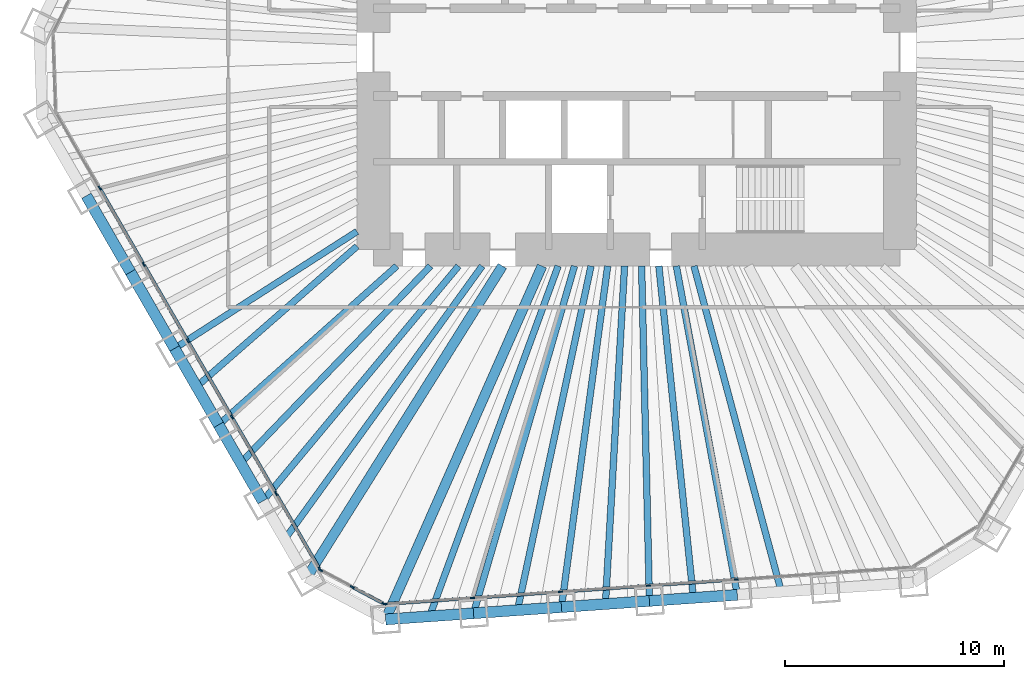
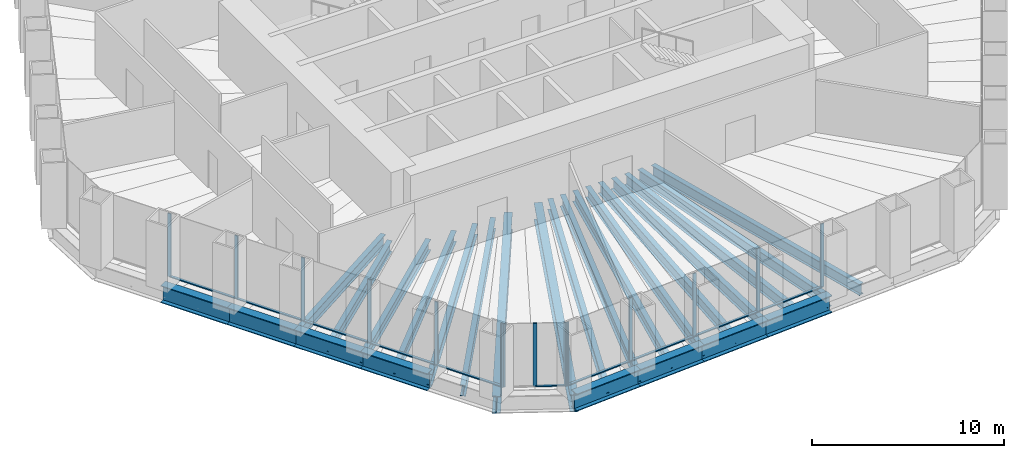
# One storey, part 2 of 13: 25 beams, 24 members, 3 elements without a shape of their own.
"""IFC4 building model written with IfcOpenShell, lengths in metres."""

from ifc_helpers import new_model, si_unit, direction, frame, origin, origin_2d, place, context, subcontext, project, spatial, rectangle, i_section, extrude, material, material_profile, profile_set, type_object, element, aggregate, save


model = new_model("IFC4")

# Units and contexts
model_context = context("Model", 3, precision=1e-05, world=origin(), true_north=direction((0.0, 1.0)))
body_context = subcontext(model_context, "Body", "Model", "MODEL_VIEW")
ifc_project = project(units=[si_unit("LENGTHUNIT", "METRE"), si_unit("AREAUNIT", "SQUARE_METRE"), si_unit("VOLUMEUNIT", "CUBIC_METRE"), si_unit("PLANEANGLEUNIT", "RADIAN"), si_unit("MASSUNIT", "GRAM", prefix="KILO")], contexts=[model_context])

# Site, building, storey
site_placement = place(None, origin())
site = spatial("IfcSite", under=ifc_project, at=site_placement, CompositionType="ELEMENT")
building_placement = place(site_placement, origin())
building = spatial("IfcBuilding", under=site, at=building_placement, Name="Qingtian Harvest Tower", CompositionType="ELEMENT")
storey_placement = place(building_placement, frame((0.0, 0.0, 132.39990234375)))
storey = spatial("IfcBuildingStorey", under=building, at=storey_placement, Name="L27", CompositionType="ELEMENT", Elevation=132.39990234375)

# Beams
ifc_material_1 = material(Name="Steel SM570MC", Category="steel")
ifc_material_profile_1 = material_profile(ifc_material_1, i_section(OverallWidth=0.449951171875, OverallDepth=1.10009765625, WebThickness=0.02197265625, FlangeThickness=0.044921875, at=origin_2d()), Name="H1100x450x22x45")
ifc_profile_set_1 = profile_set([ifc_material_profile_1], Name="Steel SM570MC")
beam_type_1 = type_object("IfcBeamType", Name="Corner floor beam FB8 H1100x450x22x45", PredefinedType="BEAM", material=ifc_profile_set_1)
beam_1_placement = place(storey_placement, frame((-11.445556640625, -25.861328125, -0.719970703125), z_axis=(0.404705702755, 0.914446988161, 0.0), x_axis=(-0.914446988161, 0.404705702755, 0.0)))
element("IfcBeam", 1, at=beam_1_placement, inside=storey, type_object=beam_type_1, Name="Floor beam FB8 S6", PredefinedType="BEAM", context=body_context, shape_type="SweptSolid", body=[
    extrude(i_section(OverallWidth=0.449951171875, OverallDepth=1.10009765625, WebThickness=0.02197265625, FlangeThickness=0.044921875, at=origin_2d()), origin(), (0.0, 0.0, 1.0), 17.61865234375),
])
beam_2_placement = place(storey_placement, frame((-15.039794921875, -23.950439453125, -0.719970703125), z_axis=(0.531797274443, 0.846871689747, 0.0), x_axis=(-0.846871689747, 0.531797274443, 0.0)))
element("IfcBeam", 2, at=beam_2_placement, inside=storey, type_object=beam_type_1, Name="Floor beam FB8 SW0", PredefinedType="BEAM", context=body_context, shape_type="SweptSolid", body=[
    extrude(i_section(OverallWidth=0.449951171875, OverallDepth=1.10009765625, WebThickness=0.02197265625, FlangeThickness=0.044921875, at=origin_2d()), origin(), (0.0, 0.0, 1.0), 16.76806640625),
])
ifc_material_2 = material(Name="Steel SN490B", Category="steel")
ifc_material_profile_2 = material_profile(ifc_material_2, i_section(OverallWidth=0.300048828125, OverallDepth=0.75, WebThickness=0.013916015625, FlangeThickness=0.02490234375, at=origin_2d()), Name="H750x300x14x25")
ifc_profile_set_2 = profile_set([ifc_material_profile_2], Name="Steel SN490B")
beam_type_2 = type_object("IfcBeamType", Name="Floor beam FB12 H750x300x14x25", PredefinedType="BEAM", material=ifc_profile_set_2)
beam_3_placement = place(storey_placement, frame((-7.436279296875, -25.5810546875, -0.544921875), z_axis=(0.279142362954, 0.960249728562, 0.0), x_axis=(-0.960249728562, 0.279142362954, 0.0)))
element("IfcBeam", 3, at=beam_3_placement, inside=storey, type_object=beam_type_2, Name="Floor beam FB12 S5", PredefinedType="BEAM", context=body_context, shape_type="SweptSolid", body=[
    extrude(i_section(OverallWidth=0.300048828125, OverallDepth=0.75, WebThickness=0.013916015625, FlangeThickness=0.02490234375, at=origin_2d()), origin(), (0.0, 0.0, 1.0), 16.486328125),
])
ifc_material_3 = material(Name="Steel SN490B", Category="steel")
ifc_material_profile_3 = material_profile(ifc_material_3, i_section(OverallWidth=0.300048828125, OverallDepth=0.699951171875, WebThickness=0.012939453125, FlangeThickness=0.02392578125, at=origin_2d()), Name="H700x300x13x24")
ifc_profile_set_3 = profile_set([ifc_material_profile_3], Name="Steel SN490B")
beam_type_3 = type_object("IfcBeamType", Name="Floor beam FB2 H700x300x13x24", PredefinedType="BEAM", material=ifc_profile_set_3)
beam_4_placement = place(storey_placement, frame((4.591552734375, -24.739990234375, -0.52001953125), z_axis=(-0.182473442032, 0.983210782565, 0.0), x_axis=(-0.983210782565, -0.182473442032, 0.0)))
element("IfcBeam", 4, at=beam_4_placement, inside=storey, type_object=beam_type_3, Name="Floor beam FB2 S2", PredefinedType="BEAM", context=body_context, shape_type="SweptSolid", body=[
    extrude(i_section(OverallWidth=0.300048828125, OverallDepth=0.699951171875, WebThickness=0.012939453125, FlangeThickness=0.02392578125, at=origin_2d()), origin(), (0.0, 0.0, 1.0), 15.245849609375),
])
beam_5_placement = place(storey_placement, frame((0.582275390625, -25.020263671875, -0.52001953125), z_axis=(-0.023272189962, 0.999729165912, 0.0), x_axis=(-0.999729165912, -0.023272189962, 0.0)))
element("IfcBeam", 5, at=beam_5_placement, inside=storey, type_object=beam_type_3, Name="Floor beam FB2 S3", PredefinedType="BEAM", context=body_context, shape_type="SweptSolid", body=[
    extrude(i_section(OverallWidth=0.300048828125, OverallDepth=0.699951171875, WebThickness=0.012939453125, FlangeThickness=0.02392578125, at=origin_2d()), origin(), (0.0, 0.0, 1.0), 15.2744140625),
])
beam_6_placement = place(storey_placement, frame((-3.427001953125, -25.30078125, -0.52001953125), z_axis=(0.134230066005, 0.990950195207, 0.0), x_axis=(-0.990950195207, 0.134230066005, 0.0)))
element("IfcBeam", 6, at=beam_6_placement, inside=storey, type_object=beam_type_3, Name="Floor beam FB2 S4", PredefinedType="BEAM", context=body_context, shape_type="SweptSolid", body=[
    extrude(i_section(OverallWidth=0.300048828125, OverallDepth=0.699951171875, WebThickness=0.012939453125, FlangeThickness=0.02392578125, at=origin_2d()), origin(), (0.0, 0.0, 1.0), 15.69287109375),
])
beam_7_placement = place(storey_placement, frame((-17.04931640625, -20.4697265625, -0.52001953125), z_axis=(0.639988150605, 0.768384778015, 0.0), x_axis=(-0.768384778015, 0.639988150605, 0.0)))
element("IfcBeam", 7, at=beam_7_placement, inside=storey, type_object=beam_type_3, Name="Floor beam FB2 SW1", PredefinedType="BEAM", context=body_context, shape_type="SweptSolid", body=[
    extrude(i_section(OverallWidth=0.300048828125, OverallDepth=0.699951171875, WebThickness=0.012939453125, FlangeThickness=0.02392578125, at=origin_2d()), origin(), (0.0, 0.0, 1.0), 13.950927734375),
])
beam_8_placement = place(storey_placement, frame((-19.058837890625, -16.989013671875, -0.52001953125), z_axis=(0.746483707908, 0.665403692376, 0.0), x_axis=(-0.665403692376, 0.746483707908, 0.0)))
element("IfcBeam", 8, at=beam_8_placement, inside=storey, type_object=beam_type_3, Name="Floor beam FB2 SW2", PredefinedType="BEAM", context=body_context, shape_type="SweptSolid", body=[
    extrude(i_section(OverallWidth=0.300048828125, OverallDepth=0.699951171875, WebThickness=0.012939453125, FlangeThickness=0.02392578125, at=origin_2d()), origin(), (0.0, 0.0, 1.0), 10.879150390625),
])
beam_9_placement = place(storey_placement, frame((-21.068359375, -13.508544921875, -0.52001953125), z_axis=(0.841823295753, 0.539753220211, 0.0), x_axis=(-0.539753220211, 0.841823295753, 0.0)))
element("IfcBeam", 9, at=beam_9_placement, inside=storey, type_object=beam_type_3, Name="Floor beam FB2 SW3", PredefinedType="BEAM", context=body_context, shape_type="SweptSolid", body=[
    extrude(i_section(OverallWidth=0.300048828125, OverallDepth=0.699951171875, WebThickness=0.012939453125, FlangeThickness=0.02392578125, at=origin_2d()), origin(), (0.0, 0.0, 1.0), 9.88134765625),
])
ifc_material_4 = material(Name="Steel SN490B", Category="steel")
ifc_material_profile_4 = material_profile(ifc_material_4, i_section(OverallWidth=0.300048828125, OverallDepth=0.699951171875, WebThickness=0.012939453125, FlangeThickness=0.02392578125, at=origin_2d()), Name="H700x300x13x24")
ifc_profile_set_4 = profile_set([ifc_material_profile_4], Name="Steel SN490B")
beam_type_4 = type_object("IfcBeamType", Name="Floor joist J2 H700x300x13x24", PredefinedType="JOIST", material=ifc_profile_set_4)
beam_10_placement = place(storey_placement, frame((6.59619140625, -24.599853515625, -0.52001953125), z_axis=(-0.258996688759, 0.965878209306, 0.0), x_axis=(-0.965878209306, -0.258996688759, 0.0)))
element("IfcBeam", 10, at=beam_10_placement, inside=storey, type_object=beam_type_4, Name="Floor joist J2 S1", PredefinedType="JOIST", context=body_context, shape_type="SweptSolid", body=[
    extrude(i_section(OverallWidth=0.300048828125, OverallDepth=0.699951171875, WebThickness=0.012939453125, FlangeThickness=0.02392578125, at=origin_2d()), origin(), (0.0, 0.0, 1.0), 15.37451171875),
])
beam_11_placement = place(storey_placement, frame((2.5869140625, -24.880126953125, -0.52001953125), z_axis=(-0.103423163361, 0.994637446148, 0.0), x_axis=(-0.994637446148, -0.103423163361, 0.0)))
element("IfcBeam", 11, at=beam_11_placement, inside=storey, type_object=beam_type_4, Name="Floor joist J2 S2", PredefinedType="JOIST", context=body_context, shape_type="SweptSolid", body=[
    extrude(i_section(OverallWidth=0.300048828125, OverallDepth=0.699951171875, WebThickness=0.012939453125, FlangeThickness=0.02392578125, at=origin_2d()), origin(), (0.0, 0.0, 1.0), 15.211669921875),
])
beam_12_placement = place(storey_placement, frame((-1.42236328125, -25.160400390625, -0.52001953125), z_axis=(0.05643626267, 0.998406204035, 0.0), x_axis=(-0.998406204035, 0.05643626267, 0.0)))
element("IfcBeam", 12, at=beam_12_placement, inside=storey, type_object=beam_type_4, Name="Floor joist J2 S3", PredefinedType="JOIST", context=body_context, shape_type="SweptSolid", body=[
    extrude(i_section(OverallWidth=0.300048828125, OverallDepth=0.699951171875, WebThickness=0.012939453125, FlangeThickness=0.02392578125, at=origin_2d()), origin(), (0.0, 0.0, 1.0), 15.43505859375),
])
beam_13_placement = place(storey_placement, frame((-5.431640625, -25.44091796875, -0.52001953125), z_axis=(0.208799533611, 0.977958462699, 0.0), x_axis=(-0.977958462699, 0.208799533611, 0.0)))
element("IfcBeam", 13, at=beam_13_placement, inside=storey, type_object=beam_type_4, Name="Floor joist J2 S4", PredefinedType="JOIST", context=body_context, shape_type="SweptSolid", body=[
    extrude(i_section(OverallWidth=0.300048828125, OverallDepth=0.699951171875, WebThickness=0.012939453125, FlangeThickness=0.02392578125, at=origin_2d()), origin(), (0.0, 0.0, 1.0), 16.044677734375),
])
beam_14_placement = place(storey_placement, frame((-9.44091796875, -25.72119140625, -0.52001953125), z_axis=(0.344563279886, 0.938763093732, 0.0), x_axis=(-0.938763093732, 0.344563279886, 0.0)))
element("IfcBeam", 14, at=beam_14_placement, inside=storey, type_object=beam_type_4, Name="Floor joist J2 S5", PredefinedType="JOIST", context=body_context, shape_type="SweptSolid", body=[
    extrude(i_section(OverallWidth=0.300048828125, OverallDepth=0.699951171875, WebThickness=0.012939453125, FlangeThickness=0.02392578125, at=origin_2d()), origin(), (0.0, 0.0, 1.0), 17.012939453125),
])
beam_15_placement = place(storey_placement, frame((-16.04443359375, -22.2099609375, -0.52001953125), z_axis=(0.585581016658, 0.810613886465, 0.0), x_axis=(-0.810613886465, 0.585581016658, 0.0)))
element("IfcBeam", 15, at=beam_15_placement, inside=storey, type_object=beam_type_4, Name="Floor joist J2 SW0", PredefinedType="JOIST", context=body_context, shape_type="SweptSolid", body=[
    extrude(i_section(OverallWidth=0.300048828125, OverallDepth=0.699951171875, WebThickness=0.012939453125, FlangeThickness=0.02392578125, at=origin_2d()), origin(), (0.0, 0.0, 1.0), 15.37109375),
])
beam_16_placement = place(storey_placement, frame((-18.053955078125, -18.7294921875, -0.52001953125), z_axis=(0.693999346894, 0.719975629108, 0.0), x_axis=(-0.719975629108, 0.693999346894, 0.0)))
element("IfcBeam", 16, at=beam_16_placement, inside=storey, type_object=beam_type_4, Name="Floor joist J2 SW1", PredefinedType="JOIST", context=body_context, shape_type="SweptSolid", body=[
    extrude(i_section(OverallWidth=0.300048828125, OverallDepth=0.699951171875, WebThickness=0.012939453125, FlangeThickness=0.02392578125, at=origin_2d()), origin(), (0.0, 0.0, 1.0), 12.471923828125),
])
beam_17_placement = place(storey_placement, frame((-20.063720703125, -15.248779296875, -0.52001953125), z_axis=(0.752618713562, 0.658456583228, 0.0), x_axis=(-0.658456583228, 0.752618713562, 0.0)))
element("IfcBeam", 17, at=beam_17_placement, inside=storey, type_object=beam_type_4, Name="Floor joist J2 SW2", PredefinedType="JOIST", context=body_context, shape_type="SweptSolid", body=[
    extrude(i_section(OverallWidth=0.300048828125, OverallDepth=0.699951171875, WebThickness=0.012939453125, FlangeThickness=0.02392578125, at=origin_2d()), origin(), (0.0, 0.0, 1.0), 9.7177734375),
])

# Curtain wall, members
ifc_material_5 = material(Name="Bronze-anodised aluminium curtain wall", Category="aluminium")
curtain_wall_type = type_object("IfcCurtainWallType", Name="Curtain wall CW4 office", PredefinedType="USERDEFINED", material=ifc_material_5)
curtain_wall_1_placement = place(storey_placement, origin())
curtain_wall_1 = element("IfcCurtainWall", 18, at=curtain_wall_1_placement, inside=storey, type_object=curtain_wall_type, Name="Curtain wall CW4 L27 S0-5", ObjectType="RECESSED CURTAIN WALL", PredefinedType="USERDEFINED")
ifc_material_6 = material(Name="Bronze-anodised aluminium mullion", Category="aluminium")
ifc_material_profile_5 = material_profile(ifc_material_6, rectangle(XDim=0.06494140625, YDim=0.199951171875, at=origin_2d()), Name="AL 65x200")
ifc_profile_set_5 = profile_set([ifc_material_profile_5], Name="Bronze-anodised aluminium mullion")
member_type_1 = type_object("IfcMemberType", Name="Mullion CWM 65x200", PredefinedType="MULLION", material=ifc_profile_set_5)
member_1_placement = place(storey_placement, frame((4.542724609375, -24.041748046875, 0.0), z_axis=(0.0, 0.0, 1.0), x_axis=(0.069756473744, -0.99756405026, 0.0)))
member_1 = element("IfcMember", 19, at=member_1_placement, type_object=member_type_1, Name="CW4 mullion 3", PredefinedType="MULLION", context=body_context, shape_type="SweptSolid", body=[
    extrude(rectangle(XDim=0.06494140625, YDim=0.199951171875, at=origin_2d()), origin(), (0.0, 0.0, 1.0), 4.030029296875),
])
member_2_placement = place(storey_placement, frame((0.533447265625, -24.322021484375, 0.0), z_axis=(0.0, 0.0, 1.0), x_axis=(0.069756473744, -0.99756405026, 0.0)))
member_2 = element("IfcMember", 20, at=member_2_placement, type_object=member_type_1, Name="CW4 mullion 4", PredefinedType="MULLION", context=body_context, shape_type="SweptSolid", body=[
    extrude(rectangle(XDim=0.06494140625, YDim=0.199951171875, at=origin_2d()), origin(), (0.0, 0.0, 1.0), 4.030029296875),
])
member_3_placement = place(storey_placement, frame((-3.475830078125, -24.602294921875, 0.0), z_axis=(0.0, 0.0, 1.0), x_axis=(0.069756473744, -0.99756405026, 0.0)))
member_3 = element("IfcMember", 21, at=member_3_placement, type_object=member_type_1, Name="CW4 mullion 5", PredefinedType="MULLION", context=body_context, shape_type="SweptSolid", body=[
    extrude(rectangle(XDim=0.06494140625, YDim=0.199951171875, at=origin_2d()), origin(), (0.0, 0.0, 1.0), 4.030029296875),
])
member_4_placement = place(storey_placement, frame((-7.485107421875, -24.8828125, 0.0), z_axis=(0.0, 0.0, 1.0), x_axis=(0.069756473744, -0.99756405026, 0.0)))
member_4 = element("IfcMember", 22, at=member_4_placement, type_object=member_type_1, Name="CW4 mullion 6", PredefinedType="MULLION", context=body_context, shape_type="SweptSolid", body=[
    extrude(rectangle(XDim=0.06494140625, YDim=0.199951171875, at=origin_2d()), origin(), (0.0, 0.0, 1.0), 4.030029296875),
])
member_5_placement = place(storey_placement, frame((-11.4619140625, -25.160888671875, 0.0), z_axis=(0.0, 0.0, 1.0), x_axis=(0.069756473744, -0.99756405026, 0.0)))
member_5 = element("IfcMember", 23, at=member_5_placement, type_object=member_type_1, Name="CW4 mullion 7", PredefinedType="MULLION", context=body_context, shape_type="SweptSolid", body=[
    extrude(rectangle(XDim=0.06494140625, YDim=0.199951171875, at=origin_2d()), origin(), (0.0, 0.0, 1.0), 4.030029296875),
])

curtain_wall_2_placement = place(storey_placement, origin())
curtain_wall_2 = element("IfcCurtainWall", 24, at=curtain_wall_2_placement, inside=storey, type_object=curtain_wall_type, Name="Curtain wall CW4 L27 SC", ObjectType="RECESSED CURTAIN WALL", PredefinedType="USERDEFINED")
member_6_placement = place(storey_placement, frame((-11.523193359375, -25.14794921875, 0.0), z_axis=(0.0, 0.0, 1.0), x_axis=(-0.469471562786, -0.882947592859, 0.0)))
member_6 = element("IfcMember", 25, at=member_6_placement, type_object=member_type_1, Name="CW4 mullion 1", PredefinedType="MULLION", context=body_context, shape_type="SweptSolid", body=[
    extrude(rectangle(XDim=0.06494140625, YDim=0.199951171875, at=origin_2d()), origin(), (0.0, 0.0, 1.0), 4.030029296875),
])
member_7_placement = place(storey_placement, frame((-12.964111328125, -24.3818359375, 0.0), z_axis=(0.0, 0.0, 1.0), x_axis=(-0.469471562786, -0.882947592859, 0.0)))
member_7 = element("IfcMember", 26, at=member_7_placement, type_object=member_type_1, Name="CW4 mullion 2", PredefinedType="MULLION", context=body_context, shape_type="SweptSolid", body=[
    extrude(rectangle(XDim=0.06494140625, YDim=0.199951171875, at=origin_2d()), origin(), (0.0, 0.0, 1.0), 4.030029296875),
])
member_8_placement = place(storey_placement, frame((-14.40478515625, -23.61572265625, 0.0), z_axis=(0.0, 0.0, 1.0), x_axis=(-0.469471562786, -0.882947592859, 0.0)))
member_8 = element("IfcMember", 27, at=member_8_placement, type_object=member_type_1, Name="CW4 mullion 3", PredefinedType="MULLION", context=body_context, shape_type="SweptSolid", body=[
    extrude(rectangle(XDim=0.06494140625, YDim=0.199951171875, at=origin_2d()), origin(), (0.0, 0.0, 1.0), 4.030029296875),
])

curtain_wall_3_placement = place(storey_placement, origin())
curtain_wall_3 = element("IfcCurtainWall", 28, at=curtain_wall_3_placement, inside=storey, type_object=curtain_wall_type, Name="Curtain wall CW4 L27 SW0-5", ObjectType="RECESSED CURTAIN WALL", PredefinedType="USERDEFINED")
member_9_placement = place(storey_placement, frame((-14.44970703125, -23.572265625, 0.0), z_axis=(0.0, 0.0, 1.0), x_axis=(-0.866025403784, -0.5, 0.0)))
member_9 = element("IfcMember", 29, at=member_9_placement, type_object=member_type_1, Name="CW4 mullion 1", PredefinedType="MULLION", context=body_context, shape_type="SweptSolid", body=[
    extrude(rectangle(XDim=0.06494140625, YDim=0.199951171875, at=origin_2d()), origin(), (0.0, 0.0, 1.0), 4.030029296875),
])
member_10_placement = place(storey_placement, frame((-16.443115234375, -20.11962890625, 0.0), z_axis=(0.0, 0.0, 1.0), x_axis=(-0.866025403784, -0.5, 0.0)))
member_10 = element("IfcMember", 30, at=member_10_placement, type_object=member_type_1, Name="CW4 mullion 2", PredefinedType="MULLION", context=body_context, shape_type="SweptSolid", body=[
    extrude(rectangle(XDim=0.06494140625, YDim=0.199951171875, at=origin_2d()), origin(), (0.0, 0.0, 1.0), 4.030029296875),
])
member_11_placement = place(storey_placement, frame((-18.45263671875, -16.63916015625, 0.0), z_axis=(0.0, 0.0, 1.0), x_axis=(-0.866025403784, -0.5, 0.0)))
member_11 = element("IfcMember", 31, at=member_11_placement, type_object=member_type_1, Name="CW4 mullion 3", PredefinedType="MULLION", context=body_context, shape_type="SweptSolid", body=[
    extrude(rectangle(XDim=0.06494140625, YDim=0.199951171875, at=origin_2d()), origin(), (0.0, 0.0, 1.0), 4.030029296875),
])
member_12_placement = place(storey_placement, frame((-20.462158203125, -13.158447265625, 0.0), z_axis=(0.0, 0.0, 1.0), x_axis=(-0.866025403784, -0.5, 0.0)))
member_12 = element("IfcMember", 32, at=member_12_placement, type_object=member_type_1, Name="CW4 mullion 4", PredefinedType="MULLION", context=body_context, shape_type="SweptSolid", body=[
    extrude(rectangle(XDim=0.06494140625, YDim=0.199951171875, at=origin_2d()), origin(), (0.0, 0.0, 1.0), 4.030029296875),
])
member_13_placement = place(storey_placement, frame((-22.4716796875, -9.677978515625, 0.0), z_axis=(0.0, 0.0, 1.0), x_axis=(-0.866025403784, -0.5, 0.0)))
member_13 = element("IfcMember", 33, at=member_13_placement, type_object=member_type_1, Name="CW4 mullion 5", PredefinedType="MULLION", context=body_context, shape_type="SweptSolid", body=[
    extrude(rectangle(XDim=0.06494140625, YDim=0.199951171875, at=origin_2d()), origin(), (0.0, 0.0, 1.0), 4.030029296875),
])
member_14_placement = place(storey_placement, frame((-24.481201171875, -6.197265625, 0.0), z_axis=(0.0, 0.0, 1.0), x_axis=(-0.866025403784, -0.5, 0.0)))
member_14 = element("IfcMember", 34, at=member_14_placement, type_object=member_type_1, Name="CW4 mullion 6", PredefinedType="MULLION", context=body_context, shape_type="SweptSolid", body=[
    extrude(rectangle(XDim=0.06494140625, YDim=0.199951171875, at=origin_2d()), origin(), (0.0, 0.0, 1.0), 4.030029296875),
])

# Beams
ifc_material_7 = material(Name="Steel SM570MC", Category="steel")
ifc_material_profile_6 = material_profile(ifc_material_7, i_section(OverallWidth=0.5, OverallDepth=1.10009765625, WebThickness=0.02490234375, FlangeThickness=0.050048828125, at=origin_2d()), Name="H1100x500x25x50")
ifc_profile_set_6 = profile_set([ifc_material_profile_6], Name="Steel SM570MC")
beam_type_5 = type_object("IfcBeamType", Name="Spandrel beam SB2 H1100x500x25x50", PredefinedType="SPANDREL", material=ifc_profile_set_6)
for number, where, z_axis, x_axis, name in (
    (35, (4.591552734375, -24.739990234375, -0.5498046875), (-0.997565479251, -0.069736035208, 0.0), (0.069736035208, -0.997565479251, 0.0), "Spandrel SB2 S2"),
    (36, (0.582275390625, -25.020263671875, -0.5498046875), (-0.997561251588, -0.069796485086, 0.0), (0.069796485086, -0.997561251588, 0.0), "Spandrel SB2 S3"),
    (37, (-3.427001953125, -25.30078125, -0.5498046875), (-0.997565479251, -0.069736035208, 0.0), (0.069736035208, -0.997565479251, 0.0), "Spandrel SB2 S4"),
    (38, (-7.436279296875, -25.5810546875, -0.5498046875), (-0.997565479251, -0.069736035208, 0.0), (0.069736035208, -0.997565479251, 0.0), "Spandrel SB2 S5"),
    (39, (-17.04931640625, -20.4697265625, -0.5498046875), (-0.499987116613, 0.866032841884, 0.0), (-0.866032841884, -0.499987116613, 0.0), "Spandrel SB2 SW1"),
    (40, (-19.058837890625, -16.989013671875, -0.5498046875), (-0.500013420409, 0.866017655369, 0.0), (-0.866017655369, -0.500013420409, 0.0), "Spandrel SB2 SW2"),
    (41, (-21.068359375, -13.508544921875, -0.5498046875), (-0.499987116613, 0.866032841884, 0.0), (-0.866032841884, -0.499987116613, 0.0), "Spandrel SB2 SW3"),
    (42, (-23.077880859375, -10.02783203125, -0.5498046875), (-0.499987116613, 0.866032841884, 0.0), (-0.866032841884, -0.499987116613, 0.0), "Spandrel SB2 SW4"),
):
    element("IfcBeam", number, at=place(storey_placement, frame(where, z_axis=z_axis, x_axis=x_axis)), inside=storey, type_object=beam_type_5, Name=name, PredefinedType="SPANDREL", context=body_context, shape_type="SweptSolid", body=[
        extrude(i_section(OverallWidth=0.5, OverallDepth=1.10009765625, WebThickness=0.02490234375, FlangeThickness=0.050048828125, at=origin_2d()), origin(), (0.0, 0.0, 1.0), 4.01904296875),
    ])

# Member
ifc_material_8 = material(Name="Bronze-anodised aluminium transom", Category="aluminium")
ifc_material_profile_7 = material_profile(ifc_material_8, rectangle(XDim=0.14990234375, YDim=0.06494140625, at=origin_2d()), Name="AL 65x150")
ifc_profile_set_7 = profile_set([ifc_material_profile_7], Name="Bronze-anodised aluminium transom")
member_type_2 = type_object("IfcMemberType", Name="Transom CWT 65x150", PredefinedType="USERDEFINED", material=ifc_profile_set_7)
member_15_placement = place(storey_placement, frame((4.51025390625, -24.0439453125, 0.03271484375), z_axis=(-0.997562922571, -0.069772598571, 0.0), x_axis=(0.069772598571, -0.997562922571, 0.0)))
member_15 = element("IfcMember", 43, at=member_15_placement, type_object=member_type_2, Name="CW4 transom 3.1", ObjectType="TRANSOM", PredefinedType="USERDEFINED", context=body_context, shape_type="SweptSolid", body=[
    extrude(rectangle(XDim=0.14990234375, YDim=0.06494140625, at=origin_2d()), origin(), (0.0, 0.0, 1.0), 3.953857421875),
])

member_16_placement = place(storey_placement, frame((0.5009765625, -24.32421875, 0.03271484375), z_axis=(-0.997562922571, -0.069772598571, 0.0), x_axis=(0.069772598571, -0.997562922571, 0.0)))
member_16 = element("IfcMember", 44, at=member_16_placement, type_object=member_type_2, Name="CW4 transom 4.1", ObjectType="TRANSOM", PredefinedType="USERDEFINED", context=body_context, shape_type="SweptSolid", body=[
    extrude(rectangle(XDim=0.14990234375, YDim=0.06494140625, at=origin_2d()), origin(), (0.0, 0.0, 1.0), 3.953857421875),
])

member_17_placement = place(storey_placement, frame((-3.50830078125, -24.604736328125, 0.03271484375), z_axis=(-0.997567218353, -0.069711153102, 0.0), x_axis=(0.069711153102, -0.997567218353, 0.0)))
member_17 = element("IfcMember", 45, at=member_17_placement, type_object=member_type_2, Name="CW4 transom 5.1", ObjectType="TRANSOM", PredefinedType="USERDEFINED", context=body_context, shape_type="SweptSolid", body=[
    extrude(rectangle(XDim=0.14990234375, YDim=0.06494140625, at=origin_2d()), origin(), (0.0, 0.0, 1.0), 3.953857421875),
])

member_18_placement = place(storey_placement, frame((-7.517578125, -24.885009765625, 0.03271484375), z_axis=(-0.997561915105, -0.069787001175, 0.0), x_axis=(0.069787001175, -0.997561915105, 0.0)))
member_18 = element("IfcMember", 46, at=member_18_placement, type_object=member_type_2, Name="CW4 transom 6.1", ObjectType="TRANSOM", PredefinedType="USERDEFINED", context=body_context, shape_type="SweptSolid", body=[
    extrude(rectangle(XDim=0.14990234375, YDim=0.06494140625, at=origin_2d()), origin(), (0.0, 0.0, 1.0), 3.921630859375),
])

aggregate(curtain_wall_1, [member_1, member_2, member_3, member_4, member_5, member_15, member_16, member_17, member_18])

member_19_placement = place(storey_placement, frame((-11.5517578125, -25.132568359375, 0.03271484375), z_axis=(-0.882960338349, 0.46944759122, 0.0), x_axis=(-0.46944759122, -0.882960338349, 0.0)))
member_19 = element("IfcMember", 47, at=member_19_placement, type_object=member_type_2, Name="CW4 transom 1.1", ObjectType="TRANSOM", PredefinedType="USERDEFINED", context=body_context, shape_type="SweptSolid", body=[
    extrude(rectangle(XDim=0.14990234375, YDim=0.06494140625, at=origin_2d()), origin(), (0.0, 0.0, 1.0), 1.56689453125),
])

aggregate(curtain_wall_2, [member_6, member_7, member_8, member_19])

member_20_placement = place(storey_placement, frame((-14.466064453125, -23.5439453125, 0.03271484375), z_axis=(-0.500002696854, 0.866023846749, 0.0), x_axis=(-0.866023846749, -0.500002696854, 0.0)))
member_20 = element("IfcMember", 48, at=member_20_placement, type_object=member_type_2, Name="CW4 transom 1.1", ObjectType="TRANSOM", PredefinedType="USERDEFINED", context=body_context, shape_type="SweptSolid", body=[
    extrude(rectangle(XDim=0.14990234375, YDim=0.06494140625, at=origin_2d()), origin(), (0.0, 0.0, 1.0), 3.92138671875),
])

member_21_placement = place(storey_placement, frame((-16.459228515625, -20.091552734375, 0.03271484375), z_axis=(-0.500003941941, 0.866023127892, 0.0), x_axis=(-0.866023127892, -0.500003941941, 0.0)))
member_21 = element("IfcMember", 49, at=member_21_placement, type_object=member_type_2, Name="CW4 transom 2.1", ObjectType="TRANSOM", PredefinedType="USERDEFINED", context=body_context, shape_type="SweptSolid", body=[
    extrude(rectangle(XDim=0.14990234375, YDim=0.06494140625, at=origin_2d()), origin(), (0.0, 0.0, 1.0), 3.9541015625),
])

member_22_placement = place(storey_placement, frame((-18.468994140625, -16.611083984375, 0.03271484375), z_axis=(-0.49993089783, 0.866065296265, 0.0), x_axis=(-0.866065296265, -0.49993089783, 0.0)))
member_22 = element("IfcMember", 50, at=member_22_placement, type_object=member_type_2, Name="CW4 transom 3.1", ObjectType="TRANSOM", PredefinedType="USERDEFINED", context=body_context, shape_type="SweptSolid", body=[
    extrude(rectangle(XDim=0.14990234375, YDim=0.06494140625, at=origin_2d()), origin(), (0.0, 0.0, 1.0), 3.9541015625),
])

member_23_placement = place(storey_placement, frame((-20.478515625, -13.13037109375, 0.03271484375), z_axis=(-0.500003941941, 0.866023127892, 0.0), x_axis=(-0.866023127892, -0.500003941941, 0.0)))
member_23 = element("IfcMember", 51, at=member_23_placement, type_object=member_type_2, Name="CW4 transom 4.1", ObjectType="TRANSOM", PredefinedType="USERDEFINED", context=body_context, shape_type="SweptSolid", body=[
    extrude(rectangle(XDim=0.14990234375, YDim=0.06494140625, at=origin_2d()), origin(), (0.0, 0.0, 1.0), 3.9541015625),
])

member_24_placement = place(storey_placement, frame((-22.488037109375, -9.649658203125, 0.03271484375), z_axis=(-0.500003941941, 0.866023127892, 0.0), x_axis=(-0.866023127892, -0.500003941941, 0.0)))
member_24 = element("IfcMember", 52, at=member_24_placement, type_object=member_type_2, Name="CW4 transom 5.1", ObjectType="TRANSOM", PredefinedType="USERDEFINED", context=body_context, shape_type="SweptSolid", body=[
    extrude(rectangle(XDim=0.14990234375, YDim=0.06494140625, at=origin_2d()), origin(), (0.0, 0.0, 1.0), 3.9541015625),
])

aggregate(curtain_wall_3, [member_9, member_10, member_11, member_12, member_13, member_14, member_20, member_21, member_22, member_23, member_24])

save(model, "model.ifc")
